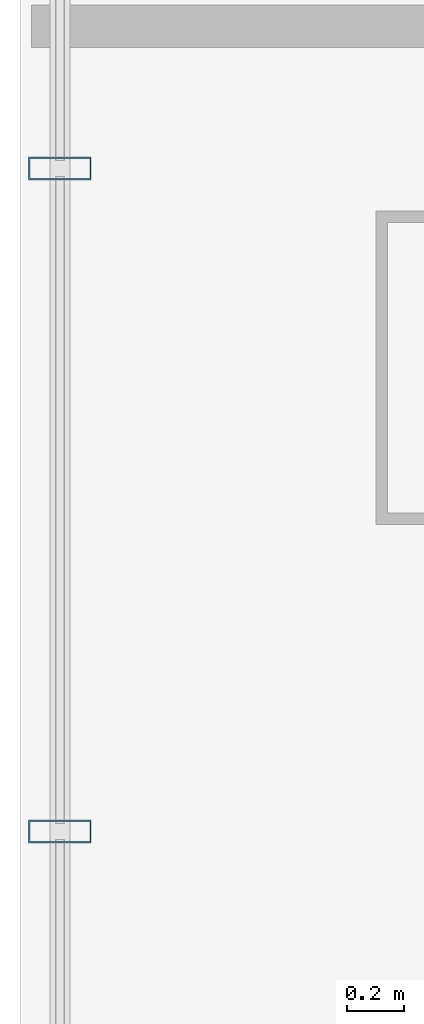
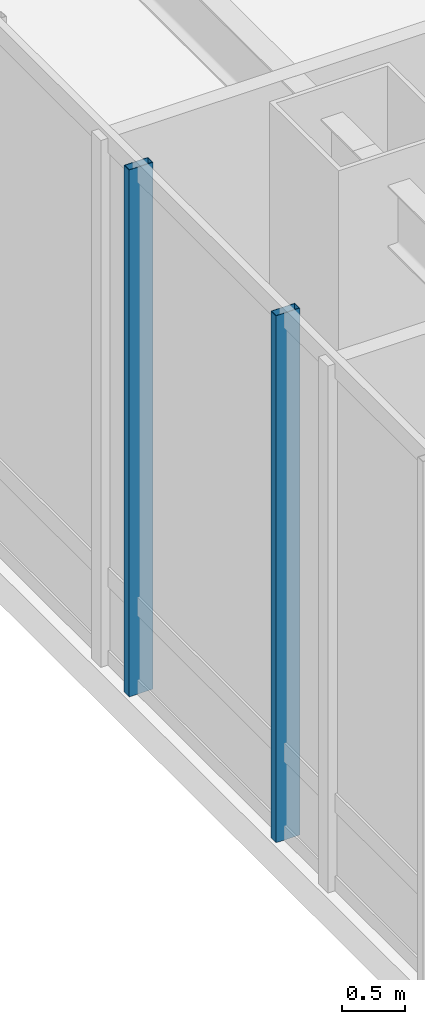
# One storey, part 10 of 35: 2 members, 1 element without a shape of its own.
"""IFC4 building model written with IfcOpenShell, lengths in metres."""

import ifcopenshell
import ifcopenshell.guid

model = None  # the IFC model being written
_history = None  # IfcOwnerHistory: only IFC2X3 demands one
_inside = {}  # id of a spatial element -> (the spatial element, [elements in it])
_under = {}  # id of a project, library or spatial element -> (it, [spatial elements below it])
_declared = {}  # id of a project -> (the project, [libraries it declares])
_typed = {}  # id of a type object -> (the type object, [elements of that type])
_made_of = {}  # id of a material, layer set ... -> (it, [elements and type objects made of it])


def new_model(schema):
    """Start an empty IFC model of exactly this schema.

    Asked for "IFC4X3", IfcOpenShell would pick the latest addendum, in which some entities
    have other attributes; the version numbers below select the first issue.
    IFC2X3 requires an IfcOwnerHistory on every rooted entity: one is made here for all.
    """
    global model, _history
    if schema == "IFC4X3":
        model = ifcopenshell.file(schema_version=(4, 3, 0, 0))
    else:
        model = ifcopenshell.file(schema=schema)
    _inside.clear()
    _under.clear()
    _declared.clear()
    _typed.clear()
    _made_of.clear()
    _history = None
    if model.schema == "IFC2X3":
        org = make("IfcOrganization", Name="unknown")
        user = make(
            "IfcPersonAndOrganization",
            ThePerson=make("IfcPerson", FamilyName="unknown"),
            TheOrganization=org,
        )
        app = make(
            "IfcApplication",
            ApplicationDeveloper=org,
            Version="unknown",
            ApplicationFullName="unknown",
            ApplicationIdentifier="unknown",
        )
        _history = make(
            "IfcOwnerHistory",
            OwningUser=user,
            OwningApplication=app,
            ChangeAction="ADDED",
            CreationDate=0,
        )
    return model


def make(cls, **values):
    """One entity of the class cls with the attributes given. An attribute that is None is left unset."""
    return model.create_entity(
        cls, **{name: value for name, value in values.items() if value is not None}
    )


def rooted(cls, **values):
    """An entity with a GlobalId (a new one), such as an element, a storey or a relation."""
    return make(cls, GlobalId=ifcopenshell.guid.new(), OwnerHistory=_history, **values)


def si_unit(unit_type, name, prefix=None):
    """IfcSIUnit, for example si_unit("LENGTHUNIT", "METRE", prefix="MILLI")."""
    return make("IfcSIUnit", UnitType=unit_type, Prefix=prefix, Name=name)


def assignment(units):
    """IfcUnitAssignment: the units of a project."""
    return None if units is None else make("IfcUnitAssignment", Units=units)


def point(xyz):
    """IfcCartesianPoint."""
    return None if xyz is None else make("IfcCartesianPoint", Coordinates=xyz)


def direction(xyz):
    """IfcDirection."""
    return None if xyz is None else make("IfcDirection", DirectionRatios=xyz)


def frame(location, z_axis=None, x_axis=None):
    """IfcAxis2Placement3D, a coordinate frame: its origin and axes. An axis left out is left unset."""
    return make(
        "IfcAxis2Placement3D",
        Location=point(location),
        Axis=direction(z_axis),
        RefDirection=direction(x_axis),
    )


def frame_2d(location, x_axis=None):
    """IfcAxis2Placement2D, a coordinate frame in the plane: its origin and x axis."""
    return make(
        "IfcAxis2Placement2D", Location=point(location), RefDirection=direction(x_axis)
    )


def origin():
    """The frame at (0, 0, 0) with its axes left unset."""
    return frame((0.0, 0.0, 0.0))


def origin_2d():
    """The frame at (0, 0) in the plane with its x axis left unset."""
    return frame_2d((0.0, 0.0))


def place(relative_to, where):
    """IfcLocalPlacement: puts the frame where relative to a parent placement (None: the world)."""
    return make(
        "IfcLocalPlacement", PlacementRelTo=relative_to, RelativePlacement=where
    )


def context(
    kind, dimensions, precision=None, world=None, true_north=None, identifier=None
):
    """IfcGeometricRepresentationContext, for example the 3D "Model" context."""
    return make(
        "IfcGeometricRepresentationContext",
        ContextIdentifier=identifier,
        ContextType=kind,
        CoordinateSpaceDimension=dimensions,
        Precision=precision,
        WorldCoordinateSystem=world,
        TrueNorth=true_north,
    )


def subcontext(parent, identifier, kind, view, scale=None):
    """IfcGeometricRepresentationSubContext, for example "Body" below "Model"."""
    return make(
        "IfcGeometricRepresentationSubContext",
        ContextIdentifier=identifier,
        ContextType=kind,
        ParentContext=parent,
        TargetScale=scale,
        TargetView=view,
    )


def project(units=None, contexts=None):
    """IfcProject with its units and contexts."""
    return rooted(
        "IfcProject",
        Name="project",
        RepresentationContexts=contexts,
        UnitsInContext=assignment(units),
    )


def spatial(cls, under=None, at=None, **own):
    """A site, building, storey or space (cls), placed at a placement, below another one or the project."""
    s = rooted(cls, ObjectPlacement=at, **own)
    if under is not None:
        _under.setdefault(under.id(), (under, []))[1].append(s)
    return s


def profile(cls, at=None, kind="AREA", **sizes):
    """A parametric profile (cls). Its sizes go by their IFC names, for example OverallWidth=200.0."""
    return make(cls, ProfileType=kind, Position=at, **sizes)


def hollow_rectangle(**sizes):
    """IfcRectangleHollowProfileDef."""
    return profile("IfcRectangleHollowProfileDef", **sizes)


def extrude(swept, where, along, depth):
    """IfcExtrudedAreaSolid: the profile swept, set in the frame where, extruded along a direction by depth."""
    return make(
        "IfcExtrudedAreaSolid",
        SweptArea=swept,
        Position=where,
        ExtrudedDirection=direction(along),
        Depth=depth,
    )


def shape(context_of_items, identifier, shape_type, items):
    """IfcShapeRepresentation: the items that make up one representation, for example the "Body"."""
    return make(
        "IfcShapeRepresentation",
        ContextOfItems=context_of_items,
        RepresentationIdentifier=identifier,
        RepresentationType=shape_type,
        Items=items,
    )


def material(Name=None, Category=None):
    """IfcMaterial."""
    return make("IfcMaterial", Name=Name, Category=Category)


def layer(
    of_material, thickness, ventilated=None, Name=None, Category=None, Priority=None
):
    """IfcMaterialLayer: one layer of a wall or slab, of a material (None: an air gap)."""
    return make(
        "IfcMaterialLayer",
        Material=of_material,
        LayerThickness=thickness,
        IsVentilated=ventilated,
        Name=Name,
        Category=Category,
        Priority=Priority,
    )


def layer_set(layers, Name=None):
    """IfcMaterialLayerSet."""
    return make("IfcMaterialLayerSet", MaterialLayers=layers, LayerSetName=Name)


def material_profile(
    of_material, cross_section, Name=None, Category=None, Priority=None
):
    """IfcMaterialProfile: a cross section and its material."""
    return make(
        "IfcMaterialProfile",
        Name=Name,
        Material=of_material,
        Profile=cross_section,
        Priority=Priority,
        Category=Category,
    )


def profile_set(profiles, Name=None, composite=None):
    """IfcMaterialProfileSet."""
    return make(
        "IfcMaterialProfileSet",
        Name=Name,
        MaterialProfiles=profiles,
        CompositeProfile=composite,
    )


def made_of(thing, what):
    """Note that an element or type object is made of a material, layer set ...; save() writes the relation."""
    if what is not None:
        _made_of.setdefault(what.id(), (what, []))[1].append(thing)
    return thing


def type_object(cls, material=None, **own):
    """A type object (cls), such as IfcWallType, which elements share."""
    return made_of(rooted(cls, **own), material)


def element(
    cls,
    number,
    at=None,
    inside=None,
    cuts=None,
    type_object=None,
    material=None,
    context=None,
    identifier="Body",
    shape_type=None,
    held_by="IfcProductDefinitionShape",
    body=None,
    shapes=None,
    **own,
):
    """One element of the class cls, such as IfcWall. Its Tag is "e" and its number.

    at: its placement. inside: the storey or other place that contains it. cuts: it is an
    opening in that element (IfcRelVoidsElement). A single representation is given by context,
    identifier, shape_type and body (its items); several are given by shapes. held_by: the class
    of the entity that holds the representations. save() writes the other relations.
    """
    e = rooted(cls, Tag="e%d" % number, ObjectPlacement=at, **own)
    if body is not None:
        shapes = [shape(context, identifier, shape_type, body)]
    if shapes is not None:
        e.Representation = make(held_by, Representations=shapes)
    if inside is not None:
        _inside.setdefault(inside.id(), (inside, []))[1].append(e)
    if cuts is not None:
        rooted(
            "IfcRelVoidsElement", RelatingBuildingElement=cuts, RelatedOpeningElement=e
        )
    if type_object is not None:
        _typed.setdefault(type_object.id(), (type_object, []))[1].append(e)
    return made_of(e, material)


def aggregate(whole, parts):
    """IfcRelAggregates: a whole, such as a stair, and the parts it consists of."""
    return rooted("IfcRelAggregates", RelatingObject=whole, RelatedObjects=parts)


def save(model, path):
    """Write the relations noted so far, then the file.

    IfcRelAggregates (storeys below a building ...), IfcRelContainedInSpatialStructure (elements
    in a storey), IfcRelDefinesByType, IfcRelAssociatesMaterial and IfcRelDeclares: one each for
    every whole, place, type object, material and project.
    """
    for whole, parts in _under.values():
        aggregate(whole, parts)
    for where, things in _inside.values():
        rooted(
            "IfcRelContainedInSpatialStructure",
            RelatedElements=things,
            RelatingStructure=where,
        )
    for kind, things in _typed.values():
        rooted("IfcRelDefinesByType", RelatedObjects=things, RelatingType=kind)
    for what, things in _made_of.values():
        rooted("IfcRelAssociatesMaterial", RelatedObjects=things, RelatingMaterial=what)
    for by, libraries in _declared.values():
        rooted("IfcRelDeclares", RelatingContext=by, RelatedDefinitions=libraries)
    model.write(path)


model = new_model("IFC4")

# Units and contexts
model_context = context("Model", 3, precision=1e-05, world=origin(), true_north=direction((0.0, 1.0)))
body_context = subcontext(model_context, "Body", "Model", "MODEL_VIEW")
ifc_project = project(units=[si_unit("LENGTHUNIT", "METRE"), si_unit("AREAUNIT", "SQUARE_METRE"), si_unit("VOLUMEUNIT", "CUBIC_METRE"), si_unit("PLANEANGLEUNIT", "RADIAN"), si_unit("MASSUNIT", "GRAM", prefix="KILO")], contexts=[model_context])

# Site, building, storey
site_placement = place(None, origin())
site = spatial("IfcSite", under=ifc_project, at=site_placement, CompositionType="ELEMENT")
building_placement = place(site_placement, origin())
building = spatial("IfcBuilding", under=site, at=building_placement, Name="Hatsunagi Terrace Concourse", CompositionType="ELEMENT")
storey_placement = place(building_placement, frame((0.0, 0.0, 5.39990234375)))
storey = spatial("IfcBuildingStorey", under=building, at=storey_placement, Name="L02", CompositionType="ELEMENT", Elevation=5.39990234375)

# Curtain wall, members
ifc_material_1 = material(Name="Anodised Aluminium Alloy 6063-T5", Category="aluminium")
ifc_layer = layer(ifc_material_1, 0.199951171875)
ifc_layer_set = layer_set([ifc_layer], Name="PodiumStorefront_CW01")
curtain_wall_type = type_object("IfcCurtainWallType", Name="PodiumStorefront_CW01", PredefinedType="NOTDEFINED", material=ifc_layer_set)
curtain_wall_placement = place(storey_placement, origin())
curtain_wall = element("IfcCurtainWall", 1, at=curtain_wall_placement, inside=storey, type_object=curtain_wall_type, Name="Unitised Curtain Wall CW-01 CW-L02-10", PredefinedType="NOTDEFINED")
ifc_material_2 = material(Name="Anodised Aluminium Alloy 6063-T5", Category="aluminium")
ifc_material_profile = material_profile(ifc_material_2, hollow_rectangle(XDim=0.080078125, YDim=0.219970703125, WallThickness=0.0048828125, at=origin_2d()), Name="ALU-MUL-220x80x5")
ifc_profile_set = profile_set([ifc_material_profile], Name="Anodised Aluminium Alloy 6063-T5")
member_type = type_object("IfcMemberType", Name="CurtainWallMullion_Heavy_220x80", PredefinedType="MULLION", material=ifc_profile_set)
member_1_placement = place(storey_placement, frame((0.139892578125, 35.172119140625, 0.0), z_axis=(0.0, 0.0, 1.0), x_axis=(0.0, 1.0, 0.0)))
member_1 = element("IfcMember", 2, at=member_1_placement, type_object=member_type, Name="Curtain Wall Mullion MUL-01", PredefinedType="MULLION", context=body_context, shape_type="SweptSolid", body=[
    extrude(hollow_rectangle(XDim=0.080078125, YDim=0.219970703125, WallThickness=0.0048828125, at=origin_2d()), origin(), (0.0, 0.0, 1.0), 5.10009765625),
])
member_2_placement = place(storey_placement, frame((0.139892578125, 37.5, 0.0), z_axis=(0.0, 0.0, 1.0), x_axis=(0.0, 1.0, 0.0)))
member_2 = element("IfcMember", 3, at=member_2_placement, type_object=member_type, Name="Curtain Wall Mullion MUL-01", PredefinedType="MULLION", context=body_context, shape_type="SweptSolid", body=[
    extrude(hollow_rectangle(XDim=0.080078125, YDim=0.219970703125, WallThickness=0.0048828125, at=origin_2d()), origin(), (0.0, 0.0, 1.0), 5.10009765625),
])
aggregate(curtain_wall, [member_1, member_2])

save(model, "model.ifc")
